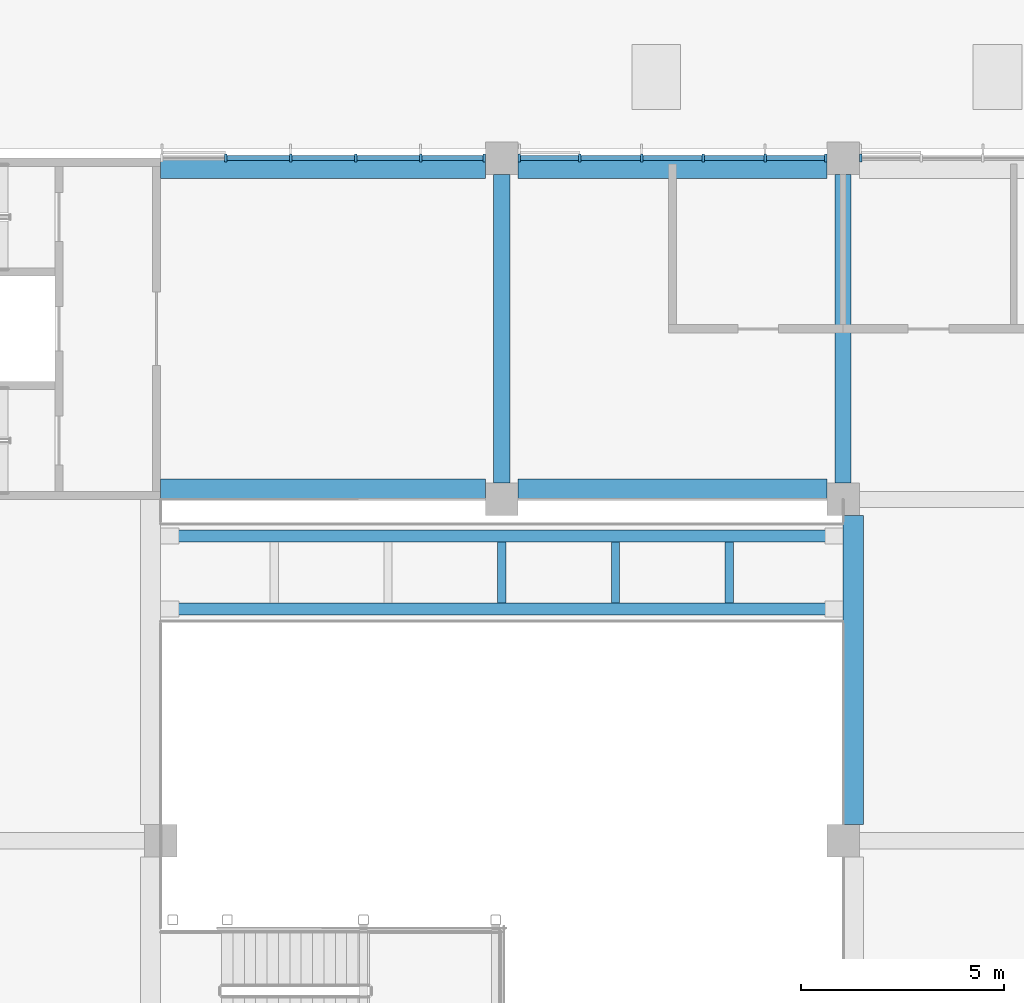
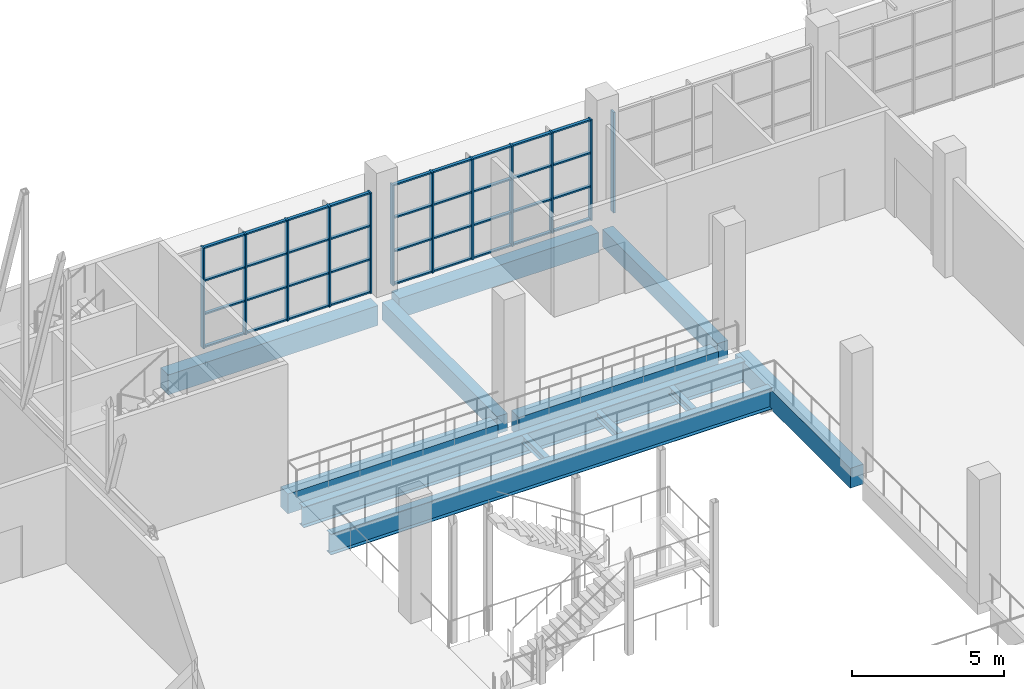
# One storey, part 16 of 101: 48 members, 12 beams, 3 elements without a shape of their own.
"""IFC4 building model written with IfcOpenShell, lengths in metres."""

import ifcopenshell
import ifcopenshell.guid

model = None  # the IFC model being written
_history = None  # IfcOwnerHistory: only IFC2X3 demands one
_inside = {}  # id of a spatial element -> (the spatial element, [elements in it])
_under = {}  # id of a project, library or spatial element -> (it, [spatial elements below it])
_declared = {}  # id of a project -> (the project, [libraries it declares])
_typed = {}  # id of a type object -> (the type object, [elements of that type])
_made_of = {}  # id of a material, layer set ... -> (it, [elements and type objects made of it])


def new_model(schema):
    """Start an empty IFC model of exactly this schema.

    Asked for "IFC4X3", IfcOpenShell would pick the latest addendum, in which some entities
    have other attributes; the version numbers below select the first issue.
    IFC2X3 requires an IfcOwnerHistory on every rooted entity: one is made here for all.
    """
    global model, _history
    if schema == "IFC4X3":
        model = ifcopenshell.file(schema_version=(4, 3, 0, 0))
    else:
        model = ifcopenshell.file(schema=schema)
    _inside.clear()
    _under.clear()
    _declared.clear()
    _typed.clear()
    _made_of.clear()
    _history = None
    if model.schema == "IFC2X3":
        org = make("IfcOrganization", Name="unknown")
        user = make(
            "IfcPersonAndOrganization",
            ThePerson=make("IfcPerson", FamilyName="unknown"),
            TheOrganization=org,
        )
        app = make(
            "IfcApplication",
            ApplicationDeveloper=org,
            Version="unknown",
            ApplicationFullName="unknown",
            ApplicationIdentifier="unknown",
        )
        _history = make(
            "IfcOwnerHistory",
            OwningUser=user,
            OwningApplication=app,
            ChangeAction="ADDED",
            CreationDate=0,
        )
    return model


def make(cls, **values):
    """One entity of the class cls with the attributes given. An attribute that is None is left unset."""
    return model.create_entity(
        cls, **{name: value for name, value in values.items() if value is not None}
    )


def rooted(cls, **values):
    """An entity with a GlobalId (a new one), such as an element, a storey or a relation."""
    return make(cls, GlobalId=ifcopenshell.guid.new(), OwnerHistory=_history, **values)


def si_unit(unit_type, name, prefix=None):
    """IfcSIUnit, for example si_unit("LENGTHUNIT", "METRE", prefix="MILLI")."""
    return make("IfcSIUnit", UnitType=unit_type, Prefix=prefix, Name=name)


def assignment(units):
    """IfcUnitAssignment: the units of a project."""
    return None if units is None else make("IfcUnitAssignment", Units=units)


def point(xyz):
    """IfcCartesianPoint."""
    return None if xyz is None else make("IfcCartesianPoint", Coordinates=xyz)


def direction(xyz):
    """IfcDirection."""
    return None if xyz is None else make("IfcDirection", DirectionRatios=xyz)


def frame(location, z_axis=None, x_axis=None):
    """IfcAxis2Placement3D, a coordinate frame: its origin and axes. An axis left out is left unset."""
    return make(
        "IfcAxis2Placement3D",
        Location=point(location),
        Axis=direction(z_axis),
        RefDirection=direction(x_axis),
    )


def frame_2d(location, x_axis=None):
    """IfcAxis2Placement2D, a coordinate frame in the plane: its origin and x axis."""
    return make(
        "IfcAxis2Placement2D", Location=point(location), RefDirection=direction(x_axis)
    )


def origin():
    """The frame at (0, 0, 0) with its axes left unset."""
    return frame((0.0, 0.0, 0.0))


def origin_2d():
    """The frame at (0, 0) in the plane with its x axis left unset."""
    return frame_2d((0.0, 0.0))


def place(relative_to, where):
    """IfcLocalPlacement: puts the frame where relative to a parent placement (None: the world)."""
    return make(
        "IfcLocalPlacement", PlacementRelTo=relative_to, RelativePlacement=where
    )


def context(
    kind, dimensions, precision=None, world=None, true_north=None, identifier=None
):
    """IfcGeometricRepresentationContext, for example the 3D "Model" context."""
    return make(
        "IfcGeometricRepresentationContext",
        ContextIdentifier=identifier,
        ContextType=kind,
        CoordinateSpaceDimension=dimensions,
        Precision=precision,
        WorldCoordinateSystem=world,
        TrueNorth=true_north,
    )


def subcontext(parent, identifier, kind, view, scale=None):
    """IfcGeometricRepresentationSubContext, for example "Body" below "Model"."""
    return make(
        "IfcGeometricRepresentationSubContext",
        ContextIdentifier=identifier,
        ContextType=kind,
        ParentContext=parent,
        TargetScale=scale,
        TargetView=view,
    )


def project(units=None, contexts=None):
    """IfcProject with its units and contexts."""
    return rooted(
        "IfcProject",
        Name="project",
        RepresentationContexts=contexts,
        UnitsInContext=assignment(units),
    )


def spatial(cls, under=None, at=None, **own):
    """A site, building, storey or space (cls), placed at a placement, below another one or the project."""
    s = rooted(cls, ObjectPlacement=at, **own)
    if under is not None:
        _under.setdefault(under.id(), (under, []))[1].append(s)
    return s


def profile(cls, at=None, kind="AREA", **sizes):
    """A parametric profile (cls). Its sizes go by their IFC names, for example OverallWidth=200.0."""
    return make(cls, ProfileType=kind, Position=at, **sizes)


def rectangle(**sizes):
    """IfcRectangleProfileDef."""
    return profile("IfcRectangleProfileDef", **sizes)


def i_section(**sizes):
    """IfcIShapeProfileDef."""
    return profile("IfcIShapeProfileDef", **sizes)


def extrude(swept, where, along, depth):
    """IfcExtrudedAreaSolid: the profile swept, set in the frame where, extruded along a direction by depth."""
    return make(
        "IfcExtrudedAreaSolid",
        SweptArea=swept,
        Position=where,
        ExtrudedDirection=direction(along),
        Depth=depth,
    )


def shape(context_of_items, identifier, shape_type, items):
    """IfcShapeRepresentation: the items that make up one representation, for example the "Body"."""
    return make(
        "IfcShapeRepresentation",
        ContextOfItems=context_of_items,
        RepresentationIdentifier=identifier,
        RepresentationType=shape_type,
        Items=items,
    )


def material(Name=None, Category=None):
    """IfcMaterial."""
    return make("IfcMaterial", Name=Name, Category=Category)


def material_profile(
    of_material, cross_section, Name=None, Category=None, Priority=None
):
    """IfcMaterialProfile: a cross section and its material."""
    return make(
        "IfcMaterialProfile",
        Name=Name,
        Material=of_material,
        Profile=cross_section,
        Priority=Priority,
        Category=Category,
    )


def profile_set(profiles, Name=None, composite=None):
    """IfcMaterialProfileSet."""
    return make(
        "IfcMaterialProfileSet",
        Name=Name,
        MaterialProfiles=profiles,
        CompositeProfile=composite,
    )


def made_of(thing, what):
    """Note that an element or type object is made of a material, layer set ...; save() writes the relation."""
    if what is not None:
        _made_of.setdefault(what.id(), (what, []))[1].append(thing)
    return thing


def type_object(cls, material=None, **own):
    """A type object (cls), such as IfcWallType, which elements share."""
    return made_of(rooted(cls, **own), material)


def element(
    cls,
    number,
    at=None,
    inside=None,
    cuts=None,
    type_object=None,
    material=None,
    context=None,
    identifier="Body",
    shape_type=None,
    held_by="IfcProductDefinitionShape",
    body=None,
    shapes=None,
    **own,
):
    """One element of the class cls, such as IfcWall. Its Tag is "e" and its number.

    at: its placement. inside: the storey or other place that contains it. cuts: it is an
    opening in that element (IfcRelVoidsElement). A single representation is given by context,
    identifier, shape_type and body (its items); several are given by shapes. held_by: the class
    of the entity that holds the representations. save() writes the other relations.
    """
    e = rooted(cls, Tag="e%d" % number, ObjectPlacement=at, **own)
    if body is not None:
        shapes = [shape(context, identifier, shape_type, body)]
    if shapes is not None:
        e.Representation = make(held_by, Representations=shapes)
    if inside is not None:
        _inside.setdefault(inside.id(), (inside, []))[1].append(e)
    if cuts is not None:
        rooted(
            "IfcRelVoidsElement", RelatingBuildingElement=cuts, RelatedOpeningElement=e
        )
    if type_object is not None:
        _typed.setdefault(type_object.id(), (type_object, []))[1].append(e)
    return made_of(e, material)


def aggregate(whole, parts):
    """IfcRelAggregates: a whole, such as a stair, and the parts it consists of."""
    return rooted("IfcRelAggregates", RelatingObject=whole, RelatedObjects=parts)


def save(model, path):
    """Write the relations noted so far, then the file.

    IfcRelAggregates (storeys below a building ...), IfcRelContainedInSpatialStructure (elements
    in a storey), IfcRelDefinesByType, IfcRelAssociatesMaterial and IfcRelDeclares: one each for
    every whole, place, type object, material and project.
    """
    for whole, parts in _under.values():
        aggregate(whole, parts)
    for where, things in _inside.values():
        rooted(
            "IfcRelContainedInSpatialStructure",
            RelatedElements=things,
            RelatingStructure=where,
        )
    for kind, things in _typed.values():
        rooted("IfcRelDefinesByType", RelatedObjects=things, RelatingType=kind)
    for what, things in _made_of.values():
        rooted("IfcRelAssociatesMaterial", RelatedObjects=things, RelatingMaterial=what)
    for by, libraries in _declared.values():
        rooted("IfcRelDeclares", RelatingContext=by, RelatedDefinitions=libraries)
    model.write(path)


model = new_model("IFC4")

# Units and contexts
model_context = context("Model", 3, precision=1e-05, world=origin(), true_north=direction((0.0, 1.0)))
body_context = subcontext(model_context, "Body", "Model", "MODEL_VIEW")
ifc_project = project(units=[si_unit("LENGTHUNIT", "METRE"), si_unit("AREAUNIT", "SQUARE_METRE"), si_unit("VOLUMEUNIT", "CUBIC_METRE"), si_unit("PLANEANGLEUNIT", "RADIAN"), si_unit("MASSUNIT", "GRAM", prefix="KILO")], contexts=[model_context])

# Site, building, storey
site_placement = place(None, origin())
site = spatial("IfcSite", under=ifc_project, at=site_placement, CompositionType="ELEMENT")
building_placement = place(site_placement, origin())
building = spatial("IfcBuilding", under=site, at=building_placement, Name="Almond Square Museum", CompositionType="ELEMENT")
storey_placement = place(building_placement, frame((0.0, 0.0, 5.5)))
storey = spatial("IfcBuildingStorey", under=building, at=storey_placement, Name="L01", CompositionType="ELEMENT", Elevation=5.5)

# Curtain wall, member
ifc_material_1 = material(Name="Aluminium and laminated glass", Category="aluminium")
curtain_wall_type = type_object("IfcCurtainWallType", Name="Unitised curtain wall 1500 module", PredefinedType="NOTDEFINED", material=ifc_material_1)
curtain_wall_1_placement = place(storey_placement, origin())
curtain_wall_1 = element("IfcCurtainWall", 1, at=curtain_wall_1_placement, inside=storey, type_object=curtain_wall_type, Name="Curtain wall CW-08", PredefinedType="NOTDEFINED")
ifc_material_2 = material(Name="Anodised aluminium", Category="aluminium")
ifc_material_profile_1 = material_profile(ifc_material_2, rectangle(XDim=0.199951171875, YDim=0.06005859375, at=origin_2d()))
ifc_profile_set_1 = profile_set([ifc_material_profile_1], Name="Anodised aluminium")
member_type_1 = type_object("IfcMemberType", Name="Aluminium mullion 60 x 200", PredefinedType="MULLION", material=ifc_profile_set_1)
member_1_placement = place(storey_placement, frame((98.830078125, 109.199951171875, 0.0), z_axis=(0.0, 0.0, 1.0), x_axis=(0.0, 1.0, 0.0)))
member_1 = element("IfcMember", 2, at=member_1_placement, type_object=member_type_1, Name="CW-08 mullion 1", PredefinedType="MULLION", context=body_context, shape_type="SweptSolid", body=[
    extrude(rectangle(XDim=0.199951171875, YDim=0.06005859375, at=origin_2d()), origin(), (0.0, 0.0, 1.0), 4.050048828125),
])
aggregate(curtain_wall_1, [member_1])

# Curtain wall, members
curtain_wall_2_placement = place(storey_placement, origin())
curtain_wall_2 = element("IfcCurtainWall", 3, at=curtain_wall_2_placement, inside=storey, type_object=curtain_wall_type, Name="Curtain wall CW-09", PredefinedType="NOTDEFINED")
member_2_placement = place(storey_placement, frame((90.429931640625, 109.199951171875, 0.0), z_axis=(0.0, 0.0, 1.0), x_axis=(0.0, 1.0, 0.0)))
member_2 = element("IfcMember", 4, at=member_2_placement, type_object=member_type_1, Name="CW-09 mullion 1", PredefinedType="MULLION", context=body_context, shape_type="SweptSolid", body=[
    extrude(rectangle(XDim=0.199951171875, YDim=0.06005859375, at=origin_2d()), origin(), (0.0, 0.0, 1.0), 4.050048828125),
])
member_3_placement = place(storey_placement, frame((91.919921875, 109.199951171875, 0.0), z_axis=(0.0, 0.0, 1.0), x_axis=(0.0, 1.0, 0.0)))
member_3 = element("IfcMember", 5, at=member_3_placement, type_object=member_type_1, Name="CW-09 mullion 2", PredefinedType="MULLION", context=body_context, shape_type="SweptSolid", body=[
    extrude(rectangle(XDim=0.199951171875, YDim=0.06005859375, at=origin_2d()), origin(), (0.0, 0.0, 1.0), 4.050048828125),
])
member_4_placement = place(storey_placement, frame((93.43994140625, 109.199951171875, 0.0), z_axis=(0.0, 0.0, 1.0), x_axis=(0.0, 1.0, 0.0)))
member_4 = element("IfcMember", 6, at=member_4_placement, type_object=member_type_1, Name="CW-09 mullion 3", PredefinedType="MULLION", context=body_context, shape_type="SweptSolid", body=[
    extrude(rectangle(XDim=0.199951171875, YDim=0.06005859375, at=origin_2d()), origin(), (0.0, 0.0, 1.0), 4.050048828125),
])
member_5_placement = place(storey_placement, frame((94.9599609375, 109.199951171875, 0.0), z_axis=(0.0, 0.0, 1.0), x_axis=(0.0, 1.0, 0.0)))
member_5 = element("IfcMember", 7, at=member_5_placement, type_object=member_type_1, Name="CW-09 mullion 4", PredefinedType="MULLION", context=body_context, shape_type="SweptSolid", body=[
    extrude(rectangle(XDim=0.199951171875, YDim=0.06005859375, at=origin_2d()), origin(), (0.0, 0.0, 1.0), 4.050048828125),
])
member_6_placement = place(storey_placement, frame((96.47998046875, 109.199951171875, 0.0), z_axis=(0.0, 0.0, 1.0), x_axis=(0.0, 1.0, 0.0)))
member_6 = element("IfcMember", 8, at=member_6_placement, type_object=member_type_1, Name="CW-09 mullion 5", PredefinedType="MULLION", context=body_context, shape_type="SweptSolid", body=[
    extrude(rectangle(XDim=0.199951171875, YDim=0.06005859375, at=origin_2d()), origin(), (0.0, 0.0, 1.0), 4.050048828125),
])
member_7_placement = place(storey_placement, frame((97.969970703125, 109.199951171875, 0.0), z_axis=(0.0, 0.0, 1.0), x_axis=(0.0, 1.0, 0.0)))
member_7 = element("IfcMember", 9, at=member_7_placement, type_object=member_type_1, Name="CW-09 mullion 6", PredefinedType="MULLION", context=body_context, shape_type="SweptSolid", body=[
    extrude(rectangle(XDim=0.199951171875, YDim=0.06005859375, at=origin_2d()), origin(), (0.0, 0.0, 1.0), 4.050048828125),
])

curtain_wall_3_placement = place(storey_placement, origin())
curtain_wall_3 = element("IfcCurtainWall", 10, at=curtain_wall_3_placement, inside=storey, type_object=curtain_wall_type, Name="Curtain wall CW-10", PredefinedType="NOTDEFINED")
member_8_placement = place(storey_placement, frame((83.199951171875, 109.199951171875, 0.0), z_axis=(0.0, 0.0, 1.0), x_axis=(0.0, 1.0, 0.0)))
member_8 = element("IfcMember", 11, at=member_8_placement, type_object=member_type_1, Name="CW-10 mullion 2", PredefinedType="MULLION", context=body_context, shape_type="SweptSolid", body=[
    extrude(rectangle(XDim=0.199951171875, YDim=0.06005859375, at=origin_2d()), origin(), (0.0, 0.0, 1.0), 4.050048828125),
])
member_9_placement = place(storey_placement, frame((84.800048828125, 109.199951171875, 0.0), z_axis=(0.0, 0.0, 1.0), x_axis=(0.0, 1.0, 0.0)))
member_9 = element("IfcMember", 12, at=member_9_placement, type_object=member_type_1, Name="CW-10 mullion 3", PredefinedType="MULLION", context=body_context, shape_type="SweptSolid", body=[
    extrude(rectangle(XDim=0.199951171875, YDim=0.06005859375, at=origin_2d()), origin(), (0.0, 0.0, 1.0), 4.050048828125),
])
member_10_placement = place(storey_placement, frame((86.39990234375, 109.199951171875, 0.0), z_axis=(0.0, 0.0, 1.0), x_axis=(0.0, 1.0, 0.0)))
member_10 = element("IfcMember", 13, at=member_10_placement, type_object=member_type_1, Name="CW-10 mullion 4", PredefinedType="MULLION", context=body_context, shape_type="SweptSolid", body=[
    extrude(rectangle(XDim=0.199951171875, YDim=0.06005859375, at=origin_2d()), origin(), (0.0, 0.0, 1.0), 4.050048828125),
])
member_11_placement = place(storey_placement, frame((88.0, 109.199951171875, 0.0), z_axis=(0.0, 0.0, 1.0), x_axis=(0.0, 1.0, 0.0)))
member_11 = element("IfcMember", 14, at=member_11_placement, type_object=member_type_1, Name="CW-10 mullion 5", PredefinedType="MULLION", context=body_context, shape_type="SweptSolid", body=[
    extrude(rectangle(XDim=0.199951171875, YDim=0.06005859375, at=origin_2d()), origin(), (0.0, 0.0, 1.0), 4.050048828125),
])
member_12_placement = place(storey_placement, frame((89.570068359375, 109.199951171875, 0.0), z_axis=(0.0, 0.0, 1.0), x_axis=(0.0, 1.0, 0.0)))
member_12 = element("IfcMember", 15, at=member_12_placement, type_object=member_type_1, Name="CW-10 mullion 6", PredefinedType="MULLION", context=body_context, shape_type="SweptSolid", body=[
    extrude(rectangle(XDim=0.199951171875, YDim=0.06005859375, at=origin_2d()), origin(), (0.0, 0.0, 1.0), 4.050048828125),
])

# Member
ifc_material_3 = material(Name="Anodised aluminium", Category="aluminium")
ifc_material_profile_2 = material_profile(ifc_material_3, rectangle(XDim=0.1201171875, YDim=0.06005859375, at=origin_2d()))
ifc_profile_set_2 = profile_set([ifc_material_profile_2], Name="Anodised aluminium")
member_type_2 = type_object("IfcMemberType", Name="Aluminium transom 60 x 120", PredefinedType="USERDEFINED", material=ifc_profile_set_2)
member_13_placement = place(storey_placement, frame((90.4599609375, 109.199951171875, 0.030029296875), z_axis=(1.0, 0.0, 0.0), x_axis=(0.0, 1.0, 0.0)))
member_13 = element("IfcMember", 16, at=member_13_placement, type_object=member_type_2, Name="CW-09 transom 1.1", ObjectType="TRANSOM", PredefinedType="USERDEFINED", context=body_context, shape_type="SweptSolid", body=[
    extrude(rectangle(XDim=0.1201171875, YDim=0.06005859375, at=origin_2d()), origin(), (0.0, 0.0, 1.0), 1.429931640625),
])

member_14_placement = place(storey_placement, frame((90.4599609375, 109.199951171875, 1.35009765625), z_axis=(1.0, 0.0, 0.0), x_axis=(0.0, 1.0, 0.0)))
member_14 = element("IfcMember", 17, at=member_14_placement, type_object=member_type_2, Name="CW-09 transom 1.2", ObjectType="TRANSOM", PredefinedType="USERDEFINED", context=body_context, shape_type="SweptSolid", body=[
    extrude(rectangle(XDim=0.1201171875, YDim=0.06005859375, at=origin_2d()), origin(), (0.0, 0.0, 1.0), 1.429931640625),
])

member_15_placement = place(storey_placement, frame((90.4599609375, 109.199951171875, 2.699951171875), z_axis=(1.0, 0.0, 0.0), x_axis=(0.0, 1.0, 0.0)))
member_15 = element("IfcMember", 18, at=member_15_placement, type_object=member_type_2, Name="CW-09 transom 1.3", ObjectType="TRANSOM", PredefinedType="USERDEFINED", context=body_context, shape_type="SweptSolid", body=[
    extrude(rectangle(XDim=0.1201171875, YDim=0.06005859375, at=origin_2d()), origin(), (0.0, 0.0, 1.0), 1.429931640625),
])

member_16_placement = place(storey_placement, frame((90.4599609375, 109.199951171875, 4.02001953125), z_axis=(1.0, 0.0, 0.0), x_axis=(0.0, 1.0, 0.0)))
member_16 = element("IfcMember", 19, at=member_16_placement, type_object=member_type_2, Name="CW-09 transom 1.4", ObjectType="TRANSOM", PredefinedType="USERDEFINED", context=body_context, shape_type="SweptSolid", body=[
    extrude(rectangle(XDim=0.1201171875, YDim=0.06005859375, at=origin_2d()), origin(), (0.0, 0.0, 1.0), 1.429931640625),
])

member_17_placement = place(storey_placement, frame((91.949951171875, 109.199951171875, 0.030029296875), z_axis=(1.0, 0.0, 0.0), x_axis=(0.0, 1.0, 0.0)))
member_17 = element("IfcMember", 20, at=member_17_placement, type_object=member_type_2, Name="CW-09 transom 2.1", ObjectType="TRANSOM", PredefinedType="USERDEFINED", context=body_context, shape_type="SweptSolid", body=[
    extrude(rectangle(XDim=0.1201171875, YDim=0.06005859375, at=origin_2d()), origin(), (0.0, 0.0, 1.0), 1.4599609375),
])

member_18_placement = place(storey_placement, frame((91.949951171875, 109.199951171875, 1.35009765625), z_axis=(1.0, 0.0, 0.0), x_axis=(0.0, 1.0, 0.0)))
member_18 = element("IfcMember", 21, at=member_18_placement, type_object=member_type_2, Name="CW-09 transom 2.2", ObjectType="TRANSOM", PredefinedType="USERDEFINED", context=body_context, shape_type="SweptSolid", body=[
    extrude(rectangle(XDim=0.1201171875, YDim=0.06005859375, at=origin_2d()), origin(), (0.0, 0.0, 1.0), 1.4599609375),
])

member_19_placement = place(storey_placement, frame((91.949951171875, 109.199951171875, 2.699951171875), z_axis=(1.0, 0.0, 0.0), x_axis=(0.0, 1.0, 0.0)))
member_19 = element("IfcMember", 22, at=member_19_placement, type_object=member_type_2, Name="CW-09 transom 2.3", ObjectType="TRANSOM", PredefinedType="USERDEFINED", context=body_context, shape_type="SweptSolid", body=[
    extrude(rectangle(XDim=0.1201171875, YDim=0.06005859375, at=origin_2d()), origin(), (0.0, 0.0, 1.0), 1.4599609375),
])

member_20_placement = place(storey_placement, frame((91.949951171875, 109.199951171875, 4.02001953125), z_axis=(1.0, 0.0, 0.0), x_axis=(0.0, 1.0, 0.0)))
member_20 = element("IfcMember", 23, at=member_20_placement, type_object=member_type_2, Name="CW-09 transom 2.4", ObjectType="TRANSOM", PredefinedType="USERDEFINED", context=body_context, shape_type="SweptSolid", body=[
    extrude(rectangle(XDim=0.1201171875, YDim=0.06005859375, at=origin_2d()), origin(), (0.0, 0.0, 1.0), 1.4599609375),
])

member_21_placement = place(storey_placement, frame((93.469970703125, 109.199951171875, 0.030029296875), z_axis=(1.0, 0.0, 0.0), x_axis=(0.0, 1.0, 0.0)))
member_21 = element("IfcMember", 24, at=member_21_placement, type_object=member_type_2, Name="CW-09 transom 3.1", ObjectType="TRANSOM", PredefinedType="USERDEFINED", context=body_context, shape_type="SweptSolid", body=[
    extrude(rectangle(XDim=0.1201171875, YDim=0.06005859375, at=origin_2d()), origin(), (0.0, 0.0, 1.0), 1.4599609375),
])

member_22_placement = place(storey_placement, frame((93.469970703125, 109.199951171875, 1.35009765625), z_axis=(1.0, 0.0, 0.0), x_axis=(0.0, 1.0, 0.0)))
member_22 = element("IfcMember", 25, at=member_22_placement, type_object=member_type_2, Name="CW-09 transom 3.2", ObjectType="TRANSOM", PredefinedType="USERDEFINED", context=body_context, shape_type="SweptSolid", body=[
    extrude(rectangle(XDim=0.1201171875, YDim=0.06005859375, at=origin_2d()), origin(), (0.0, 0.0, 1.0), 1.4599609375),
])

member_23_placement = place(storey_placement, frame((93.469970703125, 109.199951171875, 2.699951171875), z_axis=(1.0, 0.0, 0.0), x_axis=(0.0, 1.0, 0.0)))
member_23 = element("IfcMember", 26, at=member_23_placement, type_object=member_type_2, Name="CW-09 transom 3.3", ObjectType="TRANSOM", PredefinedType="USERDEFINED", context=body_context, shape_type="SweptSolid", body=[
    extrude(rectangle(XDim=0.1201171875, YDim=0.06005859375, at=origin_2d()), origin(), (0.0, 0.0, 1.0), 1.4599609375),
])

member_24_placement = place(storey_placement, frame((93.469970703125, 109.199951171875, 4.02001953125), z_axis=(1.0, 0.0, 0.0), x_axis=(0.0, 1.0, 0.0)))
member_24 = element("IfcMember", 27, at=member_24_placement, type_object=member_type_2, Name="CW-09 transom 3.4", ObjectType="TRANSOM", PredefinedType="USERDEFINED", context=body_context, shape_type="SweptSolid", body=[
    extrude(rectangle(XDim=0.1201171875, YDim=0.06005859375, at=origin_2d()), origin(), (0.0, 0.0, 1.0), 1.4599609375),
])

member_25_placement = place(storey_placement, frame((94.989990234375, 109.199951171875, 0.030029296875), z_axis=(1.0, 0.0, 0.0), x_axis=(0.0, 1.0, 0.0)))
member_25 = element("IfcMember", 28, at=member_25_placement, type_object=member_type_2, Name="CW-09 transom 4.1", ObjectType="TRANSOM", PredefinedType="USERDEFINED", context=body_context, shape_type="SweptSolid", body=[
    extrude(rectangle(XDim=0.1201171875, YDim=0.06005859375, at=origin_2d()), origin(), (0.0, 0.0, 1.0), 1.4599609375),
])

member_26_placement = place(storey_placement, frame((94.989990234375, 109.199951171875, 1.35009765625), z_axis=(1.0, 0.0, 0.0), x_axis=(0.0, 1.0, 0.0)))
member_26 = element("IfcMember", 29, at=member_26_placement, type_object=member_type_2, Name="CW-09 transom 4.2", ObjectType="TRANSOM", PredefinedType="USERDEFINED", context=body_context, shape_type="SweptSolid", body=[
    extrude(rectangle(XDim=0.1201171875, YDim=0.06005859375, at=origin_2d()), origin(), (0.0, 0.0, 1.0), 1.4599609375),
])

member_27_placement = place(storey_placement, frame((94.989990234375, 109.199951171875, 2.699951171875), z_axis=(1.0, 0.0, 0.0), x_axis=(0.0, 1.0, 0.0)))
member_27 = element("IfcMember", 30, at=member_27_placement, type_object=member_type_2, Name="CW-09 transom 4.3", ObjectType="TRANSOM", PredefinedType="USERDEFINED", context=body_context, shape_type="SweptSolid", body=[
    extrude(rectangle(XDim=0.1201171875, YDim=0.06005859375, at=origin_2d()), origin(), (0.0, 0.0, 1.0), 1.4599609375),
])

member_28_placement = place(storey_placement, frame((94.989990234375, 109.199951171875, 4.02001953125), z_axis=(1.0, 0.0, 0.0), x_axis=(0.0, 1.0, 0.0)))
member_28 = element("IfcMember", 31, at=member_28_placement, type_object=member_type_2, Name="CW-09 transom 4.4", ObjectType="TRANSOM", PredefinedType="USERDEFINED", context=body_context, shape_type="SweptSolid", body=[
    extrude(rectangle(XDim=0.1201171875, YDim=0.06005859375, at=origin_2d()), origin(), (0.0, 0.0, 1.0), 1.4599609375),
])

member_29_placement = place(storey_placement, frame((96.510009765625, 109.199951171875, 0.030029296875), z_axis=(1.0, 0.0, 0.0), x_axis=(0.0, 1.0, 0.0)))
member_29 = element("IfcMember", 32, at=member_29_placement, type_object=member_type_2, Name="CW-09 transom 5.1", ObjectType="TRANSOM", PredefinedType="USERDEFINED", context=body_context, shape_type="SweptSolid", body=[
    extrude(rectangle(XDim=0.1201171875, YDim=0.06005859375, at=origin_2d()), origin(), (0.0, 0.0, 1.0), 1.429931640625),
])

member_30_placement = place(storey_placement, frame((96.510009765625, 109.199951171875, 1.35009765625), z_axis=(1.0, 0.0, 0.0), x_axis=(0.0, 1.0, 0.0)))
member_30 = element("IfcMember", 33, at=member_30_placement, type_object=member_type_2, Name="CW-09 transom 5.2", ObjectType="TRANSOM", PredefinedType="USERDEFINED", context=body_context, shape_type="SweptSolid", body=[
    extrude(rectangle(XDim=0.1201171875, YDim=0.06005859375, at=origin_2d()), origin(), (0.0, 0.0, 1.0), 1.429931640625),
])

member_31_placement = place(storey_placement, frame((96.510009765625, 109.199951171875, 2.699951171875), z_axis=(1.0, 0.0, 0.0), x_axis=(0.0, 1.0, 0.0)))
member_31 = element("IfcMember", 34, at=member_31_placement, type_object=member_type_2, Name="CW-09 transom 5.3", ObjectType="TRANSOM", PredefinedType="USERDEFINED", context=body_context, shape_type="SweptSolid", body=[
    extrude(rectangle(XDim=0.1201171875, YDim=0.06005859375, at=origin_2d()), origin(), (0.0, 0.0, 1.0), 1.429931640625),
])

member_32_placement = place(storey_placement, frame((96.510009765625, 109.199951171875, 4.02001953125), z_axis=(1.0, 0.0, 0.0), x_axis=(0.0, 1.0, 0.0)))
member_32 = element("IfcMember", 35, at=member_32_placement, type_object=member_type_2, Name="CW-09 transom 5.4", ObjectType="TRANSOM", PredefinedType="USERDEFINED", context=body_context, shape_type="SweptSolid", body=[
    extrude(rectangle(XDim=0.1201171875, YDim=0.06005859375, at=origin_2d()), origin(), (0.0, 0.0, 1.0), 1.429931640625),
])

aggregate(curtain_wall_2, [member_2, member_3, member_4, member_5, member_6, member_7, member_13, member_14, member_15, member_16, member_17, member_18, member_19, member_20, member_21, member_22, member_23, member_24, member_25, member_26, member_27, member_28, member_29, member_30, member_31, member_32])

member_33_placement = place(storey_placement, frame((83.22998046875, 109.199951171875, 0.030029296875), z_axis=(1.0, 0.0, 0.0), x_axis=(0.0, 1.0, 0.0)))
member_33 = element("IfcMember", 36, at=member_33_placement, type_object=member_type_2, Name="CW-10 transom 2.1", ObjectType="TRANSOM", PredefinedType="USERDEFINED", context=body_context, shape_type="SweptSolid", body=[
    extrude(rectangle(XDim=0.1201171875, YDim=0.06005859375, at=origin_2d()), origin(), (0.0, 0.0, 1.0), 1.5400390625),
])

member_34_placement = place(storey_placement, frame((83.22998046875, 109.199951171875, 1.35009765625), z_axis=(1.0, 0.0, 0.0), x_axis=(0.0, 1.0, 0.0)))
member_34 = element("IfcMember", 37, at=member_34_placement, type_object=member_type_2, Name="CW-10 transom 2.2", ObjectType="TRANSOM", PredefinedType="USERDEFINED", context=body_context, shape_type="SweptSolid", body=[
    extrude(rectangle(XDim=0.1201171875, YDim=0.06005859375, at=origin_2d()), origin(), (0.0, 0.0, 1.0), 1.5400390625),
])

member_35_placement = place(storey_placement, frame((83.22998046875, 109.199951171875, 2.699951171875), z_axis=(1.0, 0.0, 0.0), x_axis=(0.0, 1.0, 0.0)))
member_35 = element("IfcMember", 38, at=member_35_placement, type_object=member_type_2, Name="CW-10 transom 2.3", ObjectType="TRANSOM", PredefinedType="USERDEFINED", context=body_context, shape_type="SweptSolid", body=[
    extrude(rectangle(XDim=0.1201171875, YDim=0.06005859375, at=origin_2d()), origin(), (0.0, 0.0, 1.0), 1.5400390625),
])

member_36_placement = place(storey_placement, frame((83.22998046875, 109.199951171875, 4.02001953125), z_axis=(1.0, 0.0, 0.0), x_axis=(0.0, 1.0, 0.0)))
member_36 = element("IfcMember", 39, at=member_36_placement, type_object=member_type_2, Name="CW-10 transom 2.4", ObjectType="TRANSOM", PredefinedType="USERDEFINED", context=body_context, shape_type="SweptSolid", body=[
    extrude(rectangle(XDim=0.1201171875, YDim=0.06005859375, at=origin_2d()), origin(), (0.0, 0.0, 1.0), 1.5400390625),
])

member_37_placement = place(storey_placement, frame((84.830078125, 109.199951171875, 0.030029296875), z_axis=(1.0, 0.0, 0.0), x_axis=(0.0, 1.0, 0.0)))
member_37 = element("IfcMember", 40, at=member_37_placement, type_object=member_type_2, Name="CW-10 transom 3.1", ObjectType="TRANSOM", PredefinedType="USERDEFINED", context=body_context, shape_type="SweptSolid", body=[
    extrude(rectangle(XDim=0.1201171875, YDim=0.06005859375, at=origin_2d()), origin(), (0.0, 0.0, 1.0), 1.5400390625),
])

member_38_placement = place(storey_placement, frame((84.830078125, 109.199951171875, 1.35009765625), z_axis=(1.0, 0.0, 0.0), x_axis=(0.0, 1.0, 0.0)))
member_38 = element("IfcMember", 41, at=member_38_placement, type_object=member_type_2, Name="CW-10 transom 3.2", ObjectType="TRANSOM", PredefinedType="USERDEFINED", context=body_context, shape_type="SweptSolid", body=[
    extrude(rectangle(XDim=0.1201171875, YDim=0.06005859375, at=origin_2d()), origin(), (0.0, 0.0, 1.0), 1.5400390625),
])

member_39_placement = place(storey_placement, frame((84.830078125, 109.199951171875, 2.699951171875), z_axis=(1.0, 0.0, 0.0), x_axis=(0.0, 1.0, 0.0)))
member_39 = element("IfcMember", 42, at=member_39_placement, type_object=member_type_2, Name="CW-10 transom 3.3", ObjectType="TRANSOM", PredefinedType="USERDEFINED", context=body_context, shape_type="SweptSolid", body=[
    extrude(rectangle(XDim=0.1201171875, YDim=0.06005859375, at=origin_2d()), origin(), (0.0, 0.0, 1.0), 1.5400390625),
])

member_40_placement = place(storey_placement, frame((84.830078125, 109.199951171875, 4.02001953125), z_axis=(1.0, 0.0, 0.0), x_axis=(0.0, 1.0, 0.0)))
member_40 = element("IfcMember", 43, at=member_40_placement, type_object=member_type_2, Name="CW-10 transom 3.4", ObjectType="TRANSOM", PredefinedType="USERDEFINED", context=body_context, shape_type="SweptSolid", body=[
    extrude(rectangle(XDim=0.1201171875, YDim=0.06005859375, at=origin_2d()), origin(), (0.0, 0.0, 1.0), 1.5400390625),
])

member_41_placement = place(storey_placement, frame((86.429931640625, 109.199951171875, 0.030029296875), z_axis=(1.0, 0.0, 0.0), x_axis=(0.0, 1.0, 0.0)))
member_41 = element("IfcMember", 44, at=member_41_placement, type_object=member_type_2, Name="CW-10 transom 4.1", ObjectType="TRANSOM", PredefinedType="USERDEFINED", context=body_context, shape_type="SweptSolid", body=[
    extrude(rectangle(XDim=0.1201171875, YDim=0.06005859375, at=origin_2d()), origin(), (0.0, 0.0, 1.0), 1.5400390625),
])

member_42_placement = place(storey_placement, frame((86.429931640625, 109.199951171875, 1.35009765625), z_axis=(1.0, 0.0, 0.0), x_axis=(0.0, 1.0, 0.0)))
member_42 = element("IfcMember", 45, at=member_42_placement, type_object=member_type_2, Name="CW-10 transom 4.2", ObjectType="TRANSOM", PredefinedType="USERDEFINED", context=body_context, shape_type="SweptSolid", body=[
    extrude(rectangle(XDim=0.1201171875, YDim=0.06005859375, at=origin_2d()), origin(), (0.0, 0.0, 1.0), 1.5400390625),
])

member_43_placement = place(storey_placement, frame((86.429931640625, 109.199951171875, 2.699951171875), z_axis=(1.0, 0.0, 0.0), x_axis=(0.0, 1.0, 0.0)))
member_43 = element("IfcMember", 46, at=member_43_placement, type_object=member_type_2, Name="CW-10 transom 4.3", ObjectType="TRANSOM", PredefinedType="USERDEFINED", context=body_context, shape_type="SweptSolid", body=[
    extrude(rectangle(XDim=0.1201171875, YDim=0.06005859375, at=origin_2d()), origin(), (0.0, 0.0, 1.0), 1.5400390625),
])

member_44_placement = place(storey_placement, frame((86.429931640625, 109.199951171875, 4.02001953125), z_axis=(1.0, 0.0, 0.0), x_axis=(0.0, 1.0, 0.0)))
member_44 = element("IfcMember", 47, at=member_44_placement, type_object=member_type_2, Name="CW-10 transom 4.4", ObjectType="TRANSOM", PredefinedType="USERDEFINED", context=body_context, shape_type="SweptSolid", body=[
    extrude(rectangle(XDim=0.1201171875, YDim=0.06005859375, at=origin_2d()), origin(), (0.0, 0.0, 1.0), 1.5400390625),
])

member_45_placement = place(storey_placement, frame((88.030029296875, 109.199951171875, 0.030029296875), z_axis=(1.0, 0.0, 0.0), x_axis=(0.0, 1.0, 0.0)))
member_45 = element("IfcMember", 48, at=member_45_placement, type_object=member_type_2, Name="CW-10 transom 5.1", ObjectType="TRANSOM", PredefinedType="USERDEFINED", context=body_context, shape_type="SweptSolid", body=[
    extrude(rectangle(XDim=0.1201171875, YDim=0.06005859375, at=origin_2d()), origin(), (0.0, 0.0, 1.0), 1.510009765625),
])

member_46_placement = place(storey_placement, frame((88.030029296875, 109.199951171875, 1.35009765625), z_axis=(1.0, 0.0, 0.0), x_axis=(0.0, 1.0, 0.0)))
member_46 = element("IfcMember", 49, at=member_46_placement, type_object=member_type_2, Name="CW-10 transom 5.2", ObjectType="TRANSOM", PredefinedType="USERDEFINED", context=body_context, shape_type="SweptSolid", body=[
    extrude(rectangle(XDim=0.1201171875, YDim=0.06005859375, at=origin_2d()), origin(), (0.0, 0.0, 1.0), 1.510009765625),
])

member_47_placement = place(storey_placement, frame((88.030029296875, 109.199951171875, 2.699951171875), z_axis=(1.0, 0.0, 0.0), x_axis=(0.0, 1.0, 0.0)))
member_47 = element("IfcMember", 50, at=member_47_placement, type_object=member_type_2, Name="CW-10 transom 5.3", ObjectType="TRANSOM", PredefinedType="USERDEFINED", context=body_context, shape_type="SweptSolid", body=[
    extrude(rectangle(XDim=0.1201171875, YDim=0.06005859375, at=origin_2d()), origin(), (0.0, 0.0, 1.0), 1.510009765625),
])

member_48_placement = place(storey_placement, frame((88.030029296875, 109.199951171875, 4.02001953125), z_axis=(1.0, 0.0, 0.0), x_axis=(0.0, 1.0, 0.0)))
member_48 = element("IfcMember", 51, at=member_48_placement, type_object=member_type_2, Name="CW-10 transom 5.4", ObjectType="TRANSOM", PredefinedType="USERDEFINED", context=body_context, shape_type="SweptSolid", body=[
    extrude(rectangle(XDim=0.1201171875, YDim=0.06005859375, at=origin_2d()), origin(), (0.0, 0.0, 1.0), 1.510009765625),
])

aggregate(curtain_wall_3, [member_8, member_9, member_10, member_11, member_12, member_33, member_34, member_35, member_36, member_37, member_38, member_39, member_40, member_41, member_42, member_43, member_44, member_45, member_46, member_47, member_48])

# Beams
ifc_material_4 = material(Name="Structural steel S355", Category="steel")
ifc_material_profile_3 = material_profile(ifc_material_4, i_section(OverallWidth=0.202880859375, OverallDepth=0.302001953125, WebThickness=0.007568359375, FlangeThickness=0.01318359375, at=origin_2d()))
ifc_profile_set_3 = profile_set([ifc_material_profile_3], Name="Structural steel S355")
beam_type_1 = type_object("IfcBeamType", Name="Floor beam W310x60", PredefinedType="BEAM", material=ifc_profile_set_3)
for number, where, z_axis, x_axis, name in (
    (52, (90.0, 98.24609375, -0.301025390625), (0.0, 1.0, 0.0), (-1.0, 0.0, 0.0), "Bridge 2 cross beam 3"),
    (53, (92.800048828125, 98.24609375, -0.301025390625), (0.0, 1.0, 0.0), (-1.0, 0.0, 0.0), "Bridge 2 cross beam 4"),
    (54, (95.60009765625, 98.24609375, -0.301025390625), (0.0, 1.0, 0.0), (-1.0, 0.0, 0.0), "Bridge 2 cross beam 5"),
):
    element("IfcBeam", number, at=place(storey_placement, frame(where, z_axis=z_axis, x_axis=x_axis)), inside=storey, type_object=beam_type_1, Name=name, PredefinedType="BEAM", context=body_context, shape_type="SweptSolid", body=[
        extrude(i_section(OverallWidth=0.202880859375, OverallDepth=0.302001953125, WebThickness=0.007568359375, FlangeThickness=0.01318359375, at=origin_2d()), origin(), (0.0, 0.0, 1.0), 1.5078125),
    ])
ifc_material_5 = material(Name="Structural steel S355", Category="steel")
ifc_material_profile_4 = material_profile(ifc_material_5, i_section(OverallWidth=0.2919921875, OverallDepth=0.8359375, WebThickness=0.013916015625, FlangeThickness=0.018798828125, at=origin_2d()))
ifc_profile_set_4 = profile_set([ifc_material_profile_4], Name="Structural steel S355")
beam_type_2 = type_object("IfcBeamType", Name="Girder W840x176", PredefinedType="BEAM", material=ifc_profile_set_4)
for number, where, z_axis, x_axis, name in (
    (55, (81.60009765625, 98.10009765625, -0.568115234375), (1.0, 0.0, 0.0), (0.0, 1.0, 0.0), "Bridge 2 girder 1"),
    (56, (81.60009765625, 99.89990234375, -0.568115234375), (1.0, 0.0, 0.0), (0.0, 1.0, 0.0), "Bridge 2 girder 2"),
):
    element("IfcBeam", number, at=place(storey_placement, frame(where, z_axis=z_axis, x_axis=x_axis)), inside=storey, type_object=beam_type_2, Name=name, PredefinedType="BEAM", context=body_context, shape_type="SweptSolid", body=[
        extrude(i_section(OverallWidth=0.2919921875, OverallDepth=0.8359375, WebThickness=0.013916015625, FlangeThickness=0.018798828125, at=origin_2d()), origin(), (0.0, 0.0, 1.0), 16.7998046875),
    ])
ifc_material_6 = material(Name="Concrete C40/50", Category="concrete")
ifc_material_profile_5 = material_profile(ifc_material_6, rectangle(XDim=0.39990234375, YDim=0.699951171875, at=origin_2d()))
ifc_profile_set_5 = profile_set([ifc_material_profile_5], Name="Concrete C40/50")
beam_type_3 = type_object("IfcBeamType", Name="RC beam 400 x 700 C40/50", PredefinedType="BEAM", material=ifc_profile_set_5)
for number, where, z_axis, x_axis, name in (
    (57, (90.0, 101.199951171875, -0.60009765625), (0.0, 1.0, 0.0), (-1.0, 0.0, 0.0), "Beam 12 M-N L01"),
    (58, (98.39990234375, 101.199951171875, -0.60009765625), (0.0, 1.0, 0.0), (-1.0, 0.0, 0.0), "Beam 13 M-N L01"),
):
    element("IfcBeam", number, at=place(storey_placement, frame(where, z_axis=z_axis, x_axis=x_axis)), inside=storey, type_object=beam_type_3, Name=name, PredefinedType="BEAM", context=body_context, shape_type="SweptSolid", body=[
        extrude(rectangle(XDim=0.39990234375, YDim=0.699951171875, at=origin_2d()), origin(), (0.0, 0.0, 1.0), 7.60009765625),
    ])
ifc_material_7 = material(Name="Concrete C40/50", Category="concrete")
ifc_material_profile_6 = material_profile(ifc_material_7, rectangle(XDim=0.5, YDim=0.800048828125, at=origin_2d()))
ifc_profile_set_6 = profile_set([ifc_material_profile_6], Name="Concrete C40/50")
beam_type_4 = type_object("IfcBeamType", Name="RC edge beam 500 x 800 C40/50", PredefinedType="BEAM", material=ifc_profile_set_6)
beam_1_placement = place(storey_placement, frame((81.60009765625, 101.050048828125, -0.64990234375), z_axis=(1.0, 0.0, 0.0), x_axis=(0.0, 1.0, 0.0)))
element("IfcBeam", 59, at=beam_1_placement, inside=storey, type_object=beam_type_4, Name="Edge beam M 11-12 L01", PredefinedType="BEAM", context=body_context, shape_type="SweptSolid", body=[
    extrude(rectangle(XDim=0.5, YDim=0.800048828125, at=origin_2d()), origin(), (0.0, 0.0, 1.0), 8.0),
])
beam_2_placement = place(storey_placement, frame((90.39990234375, 101.050048828125, -0.64990234375), z_axis=(1.0, 0.0, 0.0), x_axis=(0.0, 1.0, 0.0)))
element("IfcBeam", 60, at=beam_2_placement, inside=storey, type_object=beam_type_4, Name="Edge beam M 12-13 L01", PredefinedType="BEAM", context=body_context, shape_type="SweptSolid", body=[
    extrude(rectangle(XDim=0.5, YDim=0.800048828125, at=origin_2d()), origin(), (0.0, 0.0, 1.0), 7.60009765625),
])
beam_3_placement = place(storey_placement, frame((81.60009765625, 108.949951171875, -0.64990234375), z_axis=(1.0, 0.0, 0.0), x_axis=(0.0, 1.0, 0.0)))
element("IfcBeam", 61, at=beam_3_placement, inside=storey, type_object=beam_type_4, Name="Edge beam N 11-12 L01", PredefinedType="BEAM", context=body_context, shape_type="SweptSolid", body=[
    extrude(rectangle(XDim=0.5, YDim=0.800048828125, at=origin_2d()), origin(), (0.0, 0.0, 1.0), 8.0),
])
beam_4_placement = place(storey_placement, frame((90.39990234375, 108.949951171875, -0.64990234375), z_axis=(1.0, 0.0, 0.0), x_axis=(0.0, 1.0, 0.0)))
element("IfcBeam", 62, at=beam_4_placement, inside=storey, type_object=beam_type_4, Name="Edge beam N 12-13 L01", PredefinedType="BEAM", context=body_context, shape_type="SweptSolid", body=[
    extrude(rectangle(XDim=0.5, YDim=0.800048828125, at=origin_2d()), origin(), (0.0, 0.0, 1.0), 7.60009765625),
])
beam_5_placement = place(storey_placement, frame((98.64990234375, 92.800048828125, -0.64990234375), z_axis=(0.0, 1.0, 0.0), x_axis=(-1.0, 0.0, 0.0)))
element("IfcBeam", 63, at=beam_5_placement, inside=storey, type_object=beam_type_4, Name="Edge beam 13 L-M L01", PredefinedType="BEAM", context=body_context, shape_type="SweptSolid", body=[
    extrude(rectangle(XDim=0.5, YDim=0.800048828125, at=origin_2d()), origin(), (0.0, 0.0, 1.0), 7.599853515625),
])

save(model, "model.ifc")
